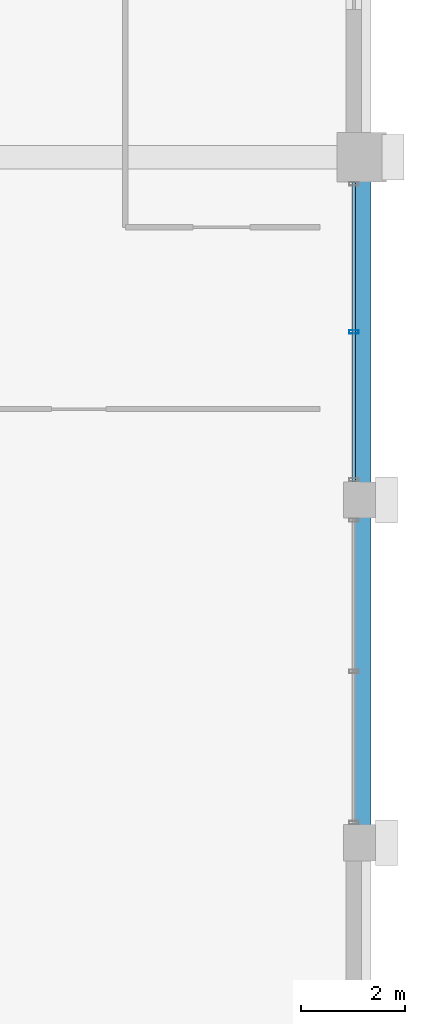
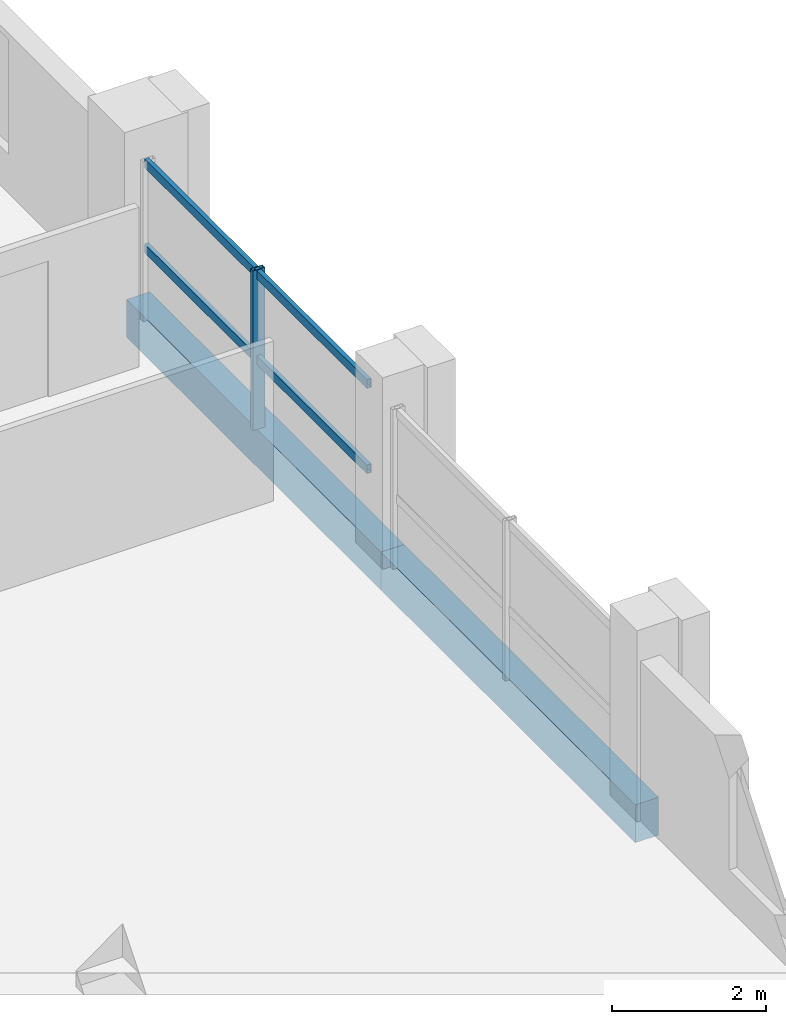
# One storey, part 11 of 25: 3 members, 2 beams, 1 element without a shape of its own.
"""IFC4 building model written with IfcOpenShell, lengths in metres."""

from ifc_helpers import new_model, si_unit, direction, frame, origin, origin_2d, place, context, subcontext, project, spatial, rectangle, hollow_rectangle, extrude, material, material_profile, profile_set, type_object, element, aggregate, save


model = new_model("IFC4")

# Units and contexts
model_context = context("Model", 3, precision=1e-05, world=origin(), true_north=direction((0.0, 1.0)))
body_context = subcontext(model_context, "Body", "Model", "MODEL_VIEW")
ifc_project = project(units=[si_unit("LENGTHUNIT", "METRE"), si_unit("AREAUNIT", "SQUARE_METRE"), si_unit("VOLUMEUNIT", "CUBIC_METRE"), si_unit("PLANEANGLEUNIT", "RADIAN"), si_unit("MASSUNIT", "GRAM", prefix="KILO")], contexts=[model_context])

# Site, building, storey
site_placement = place(None, origin())
site = spatial("IfcSite", under=ifc_project, at=site_placement, CompositionType="ELEMENT")
building_placement = place(site_placement, origin())
building = spatial("IfcBuilding", under=site, at=building_placement, Name="Akrevak Sports Hall", CompositionType="ELEMENT")
storey_placement = place(building_placement, frame((0.0, 0.0, 50.300048828125)))
storey = spatial("IfcBuildingStorey", under=building, at=storey_placement, Name="L12", CompositionType="ELEMENT", Elevation=50.300048828125)

# Curtain wall, members
ifc_material_1 = material(Name="Anodized Bronze Aluminium & Low-E Glass", Category="aluminium")
curtain_wall_type = type_object("IfcCurtainWallType", Name="ARC-CW-TWR-72x30", PredefinedType="NOTDEFINED", material=ifc_material_1)
curtain_wall_placement = place(storey_placement, origin())
curtain_wall = element("IfcCurtainWall", 1, at=curtain_wall_placement, inside=storey, type_object=curtain_wall_type, Name="Curtain Wall CW-L12-E14", PredefinedType="NOTDEFINED")
ifc_material_2 = material(Name="Anodized Bronze Aluminium", Category="aluminium")
ifc_material_profile_1 = material_profile(ifc_material_2, hollow_rectangle(XDim=0.06494140625, YDim=0.179931640625, WallThickness=0.00390625, at=origin_2d()), Name="CWM 65x180", Category="aluminium")
ifc_profile_set_1 = profile_set([ifc_material_profile_1], Name="Anodized Bronze Aluminium")
member_type_1 = type_object("IfcMemberType", Name="ARC-CWM-65x140", PredefinedType="MULLION", material=ifc_profile_set_1)
member_1_placement = place(storey_placement, frame((107.85009765625, 51.83740234375, 0.0), z_axis=(0.0, 0.0, 1.0), x_axis=(0.0, 1.0, 0.0)))
member_1 = element("IfcMember", 2, at=member_1_placement, type_object=member_type_1, Name="Curtain Wall Mullion CW-L12-E14-M2", PredefinedType="MULLION", context=body_context, shape_type="SweptSolid", body=[
    extrude(hollow_rectangle(XDim=0.06494140625, YDim=0.179931640625, WallThickness=0.00390625, at=origin_2d()), origin(), (0.0, 0.0, 1.0), 2.530029296875),
])
ifc_material_profile_2 = material_profile(ifc_material_2, hollow_rectangle(XDim=0.06494140625, YDim=0.139892578125, WallThickness=0.00390625, at=origin_2d()), Name="CWT 65x140", Category="aluminium")
ifc_profile_set_2 = profile_set([ifc_material_profile_2], Name="Anodized Bronze Aluminium")
member_type_2 = type_object("IfcMemberType", Name="ARC-CWT-65x110", PredefinedType="USERDEFINED", material=ifc_profile_set_2)
member_2_placement = place(storey_placement, frame((107.85009765625, 48.949951171875, 1.099853515625), z_axis=(0.0, 1.0, 0.0), x_axis=(-1.0, 0.0, 0.0)))
member_2 = element("IfcMember", 3, at=member_2_placement, type_object=member_type_2, Name="Curtain Wall Transom CW-L12-E14-T1", ObjectType="TRANSOM", PredefinedType="USERDEFINED", context=body_context, shape_type="SweptSolid", body=[
    extrude(hollow_rectangle(XDim=0.06494140625, YDim=0.139892578125, WallThickness=0.00390625, at=origin_2d()), origin(), (0.0, 0.0, 1.0), 5.775146484375),
])
member_3_placement = place(storey_placement, frame((107.85009765625, 48.949951171875, 2.449951171875), z_axis=(0.0, 1.0, 0.0), x_axis=(-1.0, 0.0, 0.0)))
member_3 = element("IfcMember", 4, at=member_3_placement, type_object=member_type_2, Name="Curtain Wall Transom CW-L12-E14-T2", ObjectType="TRANSOM", PredefinedType="USERDEFINED", context=body_context, shape_type="SweptSolid", body=[
    extrude(hollow_rectangle(XDim=0.06494140625, YDim=0.139892578125, WallThickness=0.00390625, at=origin_2d()), origin(), (0.0, 0.0, 1.0), 5.775146484375),
])
aggregate(curtain_wall, [member_1, member_2, member_3])

# Beams
ifc_material_3 = material(Name="Concrete C40/50", Category="concrete")
ifc_material_profile_3 = material_profile(ifc_material_3, rectangle(XDim=0.35009765625, YDim=0.60009765625, at=origin_2d()), Name="BM 350x600", Category="concrete")
ifc_profile_set_3 = profile_set([ifc_material_profile_3], Name="Concrete C40/50")
beam_type = type_object("IfcBeamType", Name="STR-BM-RC350x600", PredefinedType="BEAM", material=ifc_profile_set_3)
beam_1_placement = place(storey_placement, frame((108.0, 42.0, -0.300048828125), z_axis=(0.0, 1.0, 0.0), x_axis=(-1.0, 0.0, 0.0)))
element("IfcBeam", 5, at=beam_1_placement, inside=storey, type_object=beam_type, Name="Girder 15/G-H (L12)", PredefinedType="BEAM", context=body_context, shape_type="SweptSolid", body=[
    extrude(rectangle(XDim=0.35009765625, YDim=0.60009765625, at=origin_2d()), origin(), (0.0, 0.0, 1.0), 6.60009765625),
])
beam_2_placement = place(storey_placement, frame((108.0, 48.60009765625, -0.300048828125), z_axis=(0.0, 1.0, 0.0), x_axis=(-1.0, 0.0, 0.0)))
element("IfcBeam", 6, at=beam_2_placement, inside=storey, type_object=beam_type, Name="Girder 15/H-I (L12)", PredefinedType="BEAM", context=body_context, shape_type="SweptSolid", body=[
    extrude(rectangle(XDim=0.35009765625, YDim=0.60009765625, at=origin_2d()), origin(), (0.0, 0.0, 1.0), 6.599853515625),
])

save(model, "model.ifc")
